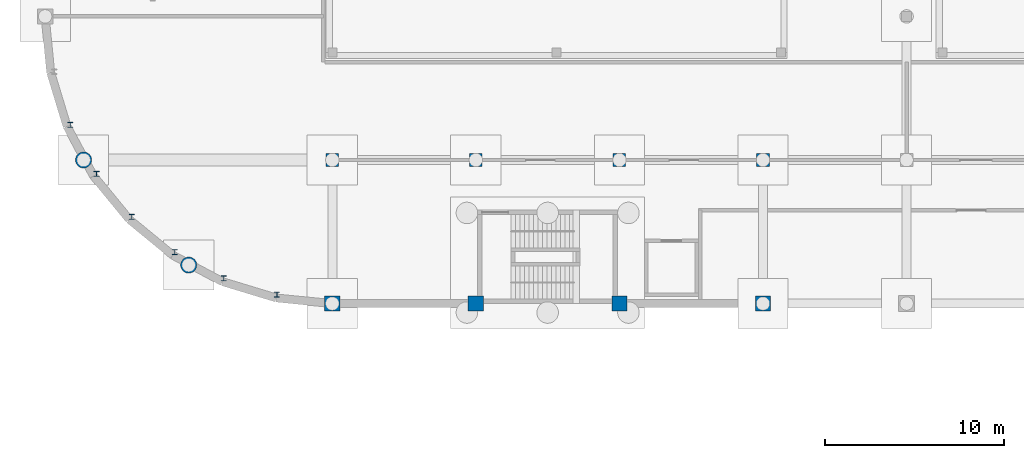
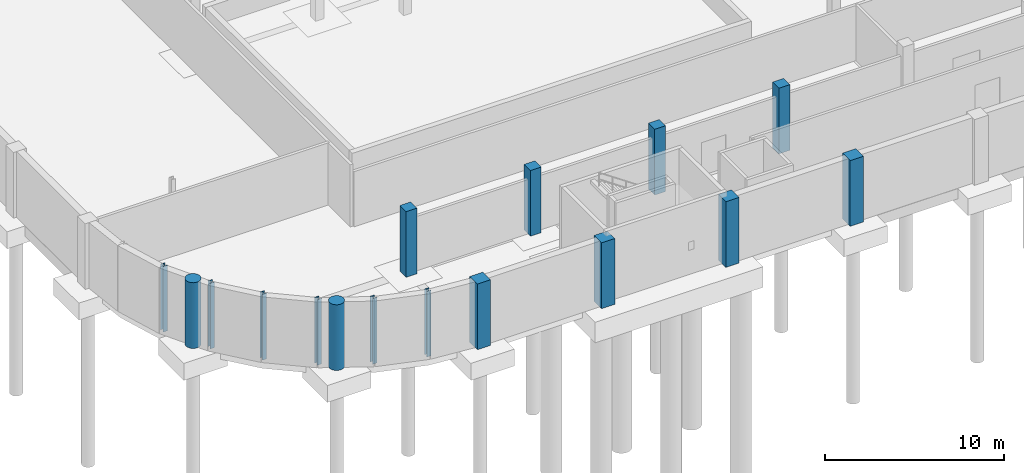
# One storey, part 5 of 29: 16 columns.
"""IFC4 building model written with IfcOpenShell, lengths in metres."""

from ifc_helpers import new_model, si_unit, direction, frame, origin, origin_2d, place, context, subcontext, project, spatial, rectangle, circle, i_section, extrude, material, material_profile, profile_set, type_object, element, save


model = new_model("IFC4")

# Units and contexts
model_context = context("Model", 3, precision=1e-05, world=origin(), true_north=direction((0.0, 1.0)))
body_context = subcontext(model_context, "Body", "Model", "MODEL_VIEW")
ifc_project = project(units=[si_unit("LENGTHUNIT", "METRE"), si_unit("AREAUNIT", "SQUARE_METRE"), si_unit("VOLUMEUNIT", "CUBIC_METRE"), si_unit("PLANEANGLEUNIT", "RADIAN"), si_unit("MASSUNIT", "GRAM", prefix="KILO")], contexts=[model_context])

# Site, building, storey
site_placement = place(None, origin())
site = spatial("IfcSite", under=ifc_project, at=site_placement, CompositionType="ELEMENT")
building_placement = place(site_placement, origin())
building = spatial("IfcBuilding", under=site, at=building_placement, Name="Drelvana Railside Aquatics Centre", CompositionType="ELEMENT")
storey_placement = place(building_placement, frame((0.0, 0.0, -4.800048828125)))
storey = spatial("IfcBuildingStorey", under=building, at=storey_placement, Name="B1", CompositionType="ELEMENT", Elevation=-4.800048828125)

# Columns
ifc_material_1 = material(Name="Concrete C40/50", Category="concrete")
ifc_material_profile_1 = material_profile(ifc_material_1, rectangle(XDim=0.699951171875, YDim=0.699951171875, at=origin_2d()), Name="RC 700x700")
ifc_profile_set_1 = profile_set([ifc_material_profile_1], Name="Concrete C40/50")
column_type_1 = type_object("IfcColumnType", Name="STR-COL-RC-700x700", PredefinedType="COLUMN", material=ifc_profile_set_1)
for number, where, z_axis, x_axis, name in (
    (1, (16.0, 24.0, 0.0), (0.0, 0.0, 1.0), (1.0, 0.0, 0.0), "Column C-06 (B1)"),
    (2, (24.0, 24.0, 0.0), (0.0, 0.0, 1.0), (1.0, 0.0, 0.0), "Column C-06 (B1)"),
    (3, (32.0, 24.0, 0.0), (0.0, 0.0, 1.0), (1.0, 0.0, 0.0), "Column C-06 (B1)"),
    (4, (40.0, 24.0, 0.0), (0.0, 0.0, 1.0), (1.0, 0.0, 0.0), "Column C-06 (B1)"),
):
    element("IfcColumn", number, at=place(storey_placement, frame(where, z_axis=z_axis, x_axis=x_axis)), inside=storey, type_object=column_type_1, Name=name, PredefinedType="COLUMN", context=body_context, shape_type="SweptSolid", body=[
        extrude(rectangle(XDim=0.699951171875, YDim=0.699951171875, at=origin_2d()), origin(), (0.0, 0.0, 1.0), 4.469970703125),
    ])
ifc_material_profile_2 = material_profile(ifc_material_1, rectangle(XDim=0.85009765625, YDim=0.85009765625, at=origin_2d()), Name="RC 850x850")
ifc_profile_set_2 = profile_set([ifc_material_profile_2], Name="Concrete C40/50")
column_type_2 = type_object("IfcColumnType", Name="STR-COL-RC-850x850", PredefinedType="COLUMN", material=ifc_profile_set_2)
for number, where, z_axis, x_axis, name in (
    (5, (16.0, 16.0, 0.0), (0.0, 0.0, 1.0), (1.0, 0.0, 0.0), "Column C-09 (B1)"),
    (6, (24.0, 16.0, 0.0), (0.0, 0.0, 1.0), (1.0, 0.0, 0.0), "Column C-09 (B1)"),
    (7, (32.0, 16.0, 0.0), (0.0, 0.0, 1.0), (1.0, 0.0, 0.0), "Column C-09 (B1)"),
    (8, (40.0, 16.0, 0.0), (0.0, 0.0, 1.0), (1.0, 0.0, 0.0), "Column C-09 (B1)"),
):
    element("IfcColumn", number, at=place(storey_placement, frame(where, z_axis=z_axis, x_axis=x_axis)), inside=storey, type_object=column_type_2, Name=name, PredefinedType="COLUMN", context=body_context, shape_type="SweptSolid", body=[
        extrude(rectangle(XDim=0.85009765625, YDim=0.85009765625, at=origin_2d()), origin(), (0.0, 0.0, 1.0), 4.469970703125),
    ])
ifc_material_profile_3 = material_profile(ifc_material_1, circle(Radius=0.449951171875, at=origin_2d()), Name="RC D900")
ifc_profile_set_3 = profile_set([ifc_material_profile_3], Name="Concrete C40/50")
column_type_3 = type_object("IfcColumnType", Name="STR-COL-RC-D900", PredefinedType="PILASTER", material=ifc_profile_set_3)
for number, where, z_axis, x_axis, name in (
    (9, (2.1435546875, 24.0, 0.0), (0.0, 0.0, 1.0), (1.0, 0.0, 0.0), "Column CP-03 (B1)"),
    (10, (8.0, 18.1435546875, 0.0), (0.0, 0.0, 1.0), (1.0, 0.0, 0.0), "Column CP-03 (B1)"),
):
    element("IfcColumn", number, at=place(storey_placement, frame(where, z_axis=z_axis, x_axis=x_axis)), inside=storey, type_object=column_type_3, Name=name, PredefinedType="PILASTER", context=body_context, shape_type="SweptSolid", body=[
        extrude(circle(Radius=0.449951171875, at=origin_2d()), origin(), (0.0, 0.0, 1.0), 4.469970703125),
    ])
ifc_material_2 = material(Name="Structural steel S355", Category="steel")
ifc_material_profile_4 = material_profile(ifc_material_2, i_section(OverallWidth=0.280029296875, OverallDepth=0.280029296875, WebThickness=0.010498046875, FlangeThickness=0.01806640625, at=origin_2d()), Name="HEB 280")
ifc_profile_set_4 = profile_set([ifc_material_profile_4], Name="Structural steel S355")
column_type_4 = type_object("IfcColumnType", Name="STR-SCOL-HEB-280", PredefinedType="COLUMN", material=ifc_profile_set_4)
for number, where, z_axis, x_axis, name in (
    (11, (1.402587890625, 25.95361328125, 0.0), (0.0, 0.0, 1.0), (1.0, 0.0, 0.0), "V1SW curved chord column 2 (B1)"),
    (12, (2.86279296875, 23.221923828125, 0.0), (0.0, 0.0, 1.0), (1.0, 0.0, 0.0), "V1SW curved chord column 3 (B1)"),
    (13, (4.82763671875, 20.82763671875, 0.0), (0.0, 0.0, 1.0), (1.0, 0.0, 0.0), "V1SW curved chord column 4 (B1)"),
    (14, (7.221923828125, 18.86279296875, 0.0), (0.0, 0.0, 1.0), (1.0, 0.0, 0.0), "V1SW curved chord column 5 (B1)"),
    (15, (9.95361328125, 17.402587890625, 0.0), (0.0, 0.0, 1.0), (1.0, 0.0, 0.0), "V1SW curved chord column 6 (B1)"),
    (16, (12.91748046875, 16.503662109375, 0.0), (0.0, 0.0, 1.0), (1.0, 0.0, 0.0), "V1SW curved chord column 7 (B1)"),
):
    element("IfcColumn", number, at=place(storey_placement, frame(where, z_axis=z_axis, x_axis=x_axis)), inside=storey, type_object=column_type_4, Name=name, PredefinedType="COLUMN", context=body_context, shape_type="SweptSolid", body=[
        extrude(i_section(OverallWidth=0.280029296875, OverallDepth=0.280029296875, WebThickness=0.010498046875, FlangeThickness=0.01806640625, at=origin_2d()), origin(), (0.0, 0.0, 1.0), 4.469970703125),
    ])

save(model, "model.ifc")
